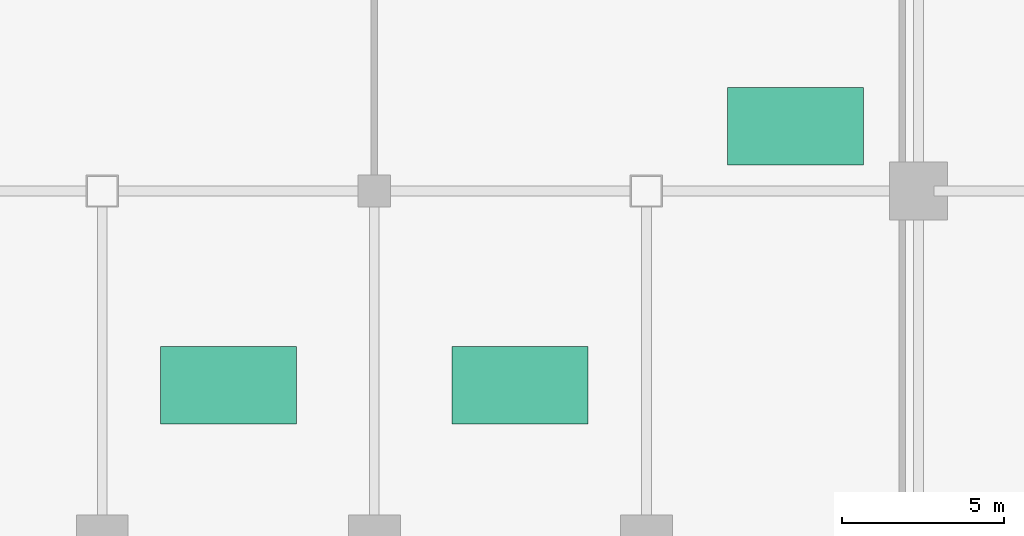
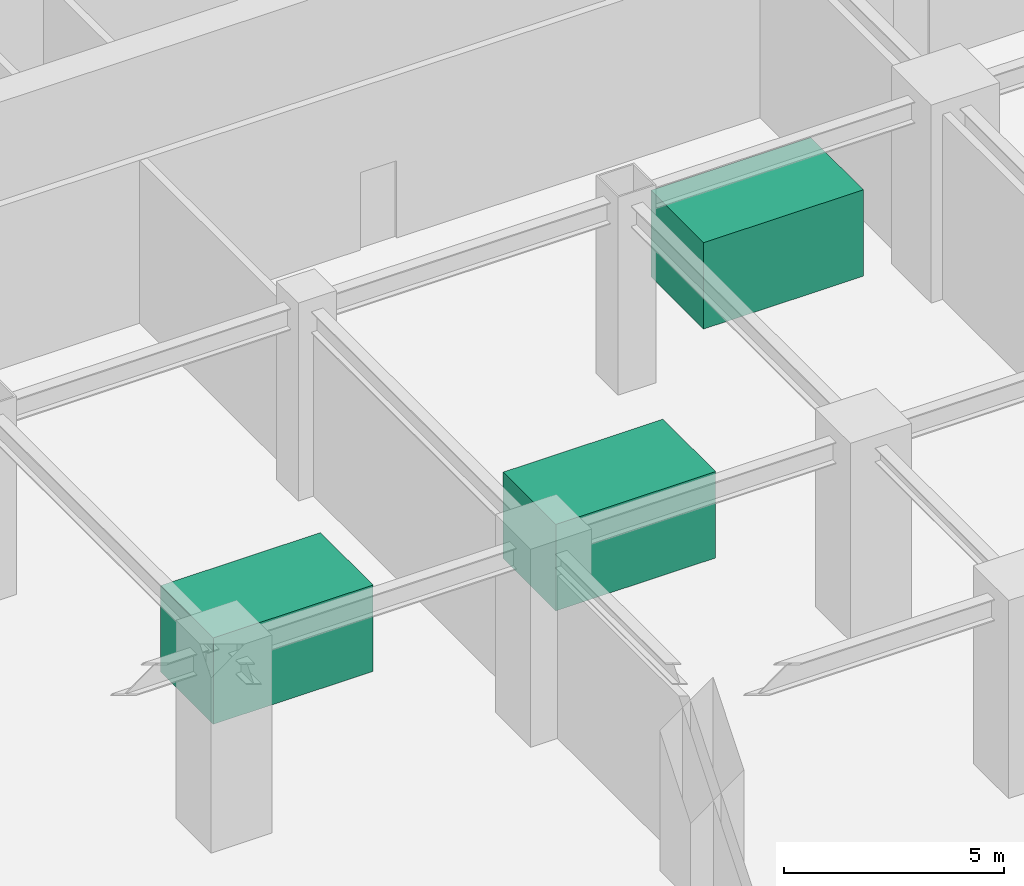
# One storey, part 8 of 8: 3 unitary equipment elements.
"""IFC4 building model written with IfcOpenShell, lengths in metres."""

from ifc_helpers import new_model, si_unit, direction, frame, origin, origin_2d, place, context, subcontext, project, spatial, rectangle, extrude, source, transform, mapped, material, type_object, element, save


model = new_model("IFC4")

# Units and contexts
model_context = context("Model", 3, precision=1e-05, world=origin(), true_north=direction((0.0, 1.0)))
body_context = subcontext(model_context, "Body", "Model", "MODEL_VIEW")
ifc_project = project(units=[si_unit("LENGTHUNIT", "METRE"), si_unit("AREAUNIT", "SQUARE_METRE"), si_unit("VOLUMEUNIT", "CUBIC_METRE"), si_unit("PLANEANGLEUNIT", "RADIAN"), si_unit("MASSUNIT", "GRAM", prefix="KILO")], contexts=[model_context])

# Site, building, storey
site_placement = place(None, origin())
site = spatial("IfcSite", under=ifc_project, at=site_placement, CompositionType="ELEMENT")
building_placement = place(site_placement, origin())
building = spatial("IfcBuilding", under=site, at=building_placement, Name="Sumidabori Civic Tower", CompositionType="ELEMENT")
storey_placement = place(building_placement, frame((0.0, 0.0, -5.5)))
storey = spatial("IfcBuildingStorey", under=building, at=storey_placement, Name="B1", CompositionType="ELEMENT", Elevation=-5.5)

# Unitary equipment
ifc_material = material(Name="Stainless Steel Hairline Finish", Category="steel")
unitary_equipment_type = type_object("IfcUnitaryEquipmentType", Name="EQ-PLANT-1", PredefinedType="AIRHANDLER", material=ifc_material)
shared_shape = source(origin(), body_context, "Body", "SweptSolid", [
    extrude(rectangle(XDim=4.199951171875, YDim=2.39990234375, at=origin_2d()), origin(), (0.0, 0.0, 1.0), 2.39990234375),
])
for number, where, z_axis, x_axis, name in (
    (1, (-4.5, -6.0, 0.0), (0.0, 0.0, 1.0), (1.0, 0.0, 0.0), "Centrifugal Chiller Unit B1-1"),
    (2, (4.5, -6.0, 0.0), (0.0, 0.0, 1.0), (1.0, 0.0, 0.0), "Heat Recovery AHU B1-2"),
    (3, (13.0, 2.0, 0.0), (0.0, 0.0, 1.0), (1.0, 0.0, 0.0), "Main Switchgear Cubicle B1-3"),
):
    element("IfcUnitaryEquipment", number, at=place(storey_placement, frame(where, z_axis=z_axis, x_axis=x_axis)), inside=storey, type_object=unitary_equipment_type, Name=name, PredefinedType="AIRHANDLER", context=body_context, shape_type="MappedRepresentation", body=[
        mapped(shared_shape, transform((0.0, 0.0, 0.0), x_axis=(1.0, 0.0, 0.0), y_axis=(0.0, 1.0, 0.0), z_axis=(0.0, 0.0, 1.0), scale=1.0)),
    ])

save(model, "model.ifc")
